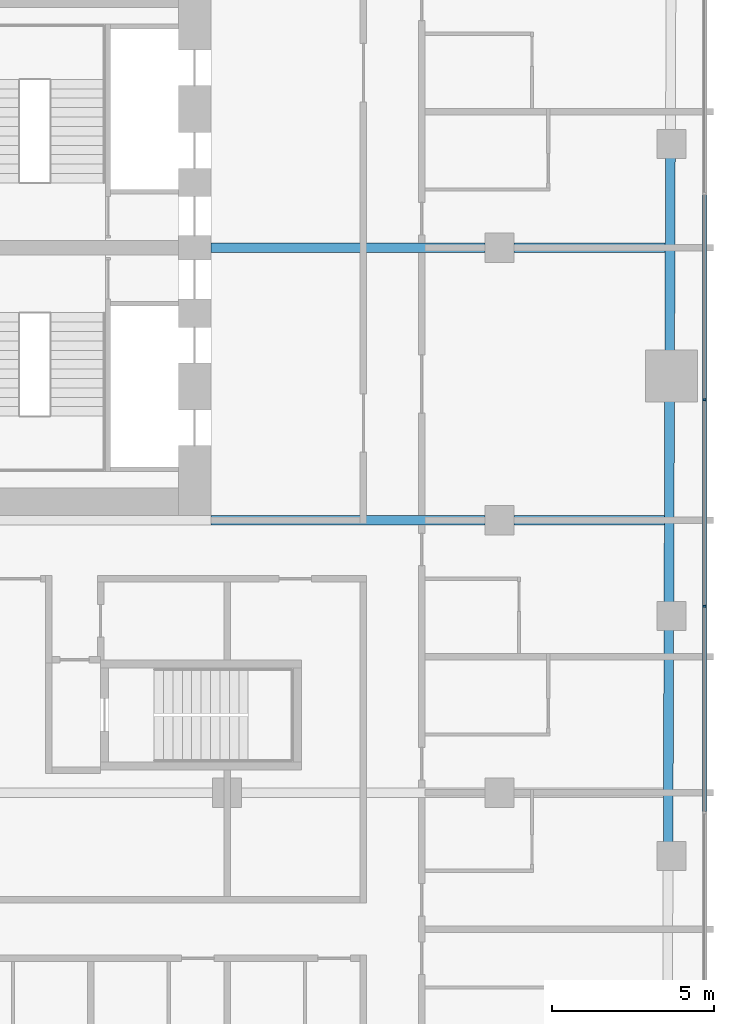
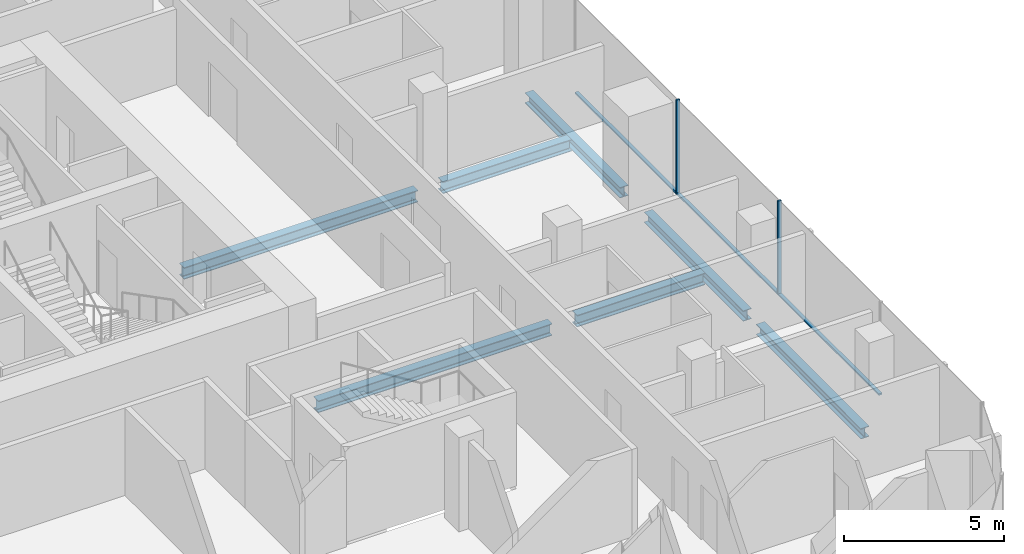
# One storey, part 7 of 23: 7 beams, 5 members, 1 element without a shape of its own.
"""IFC4 building model written with IfcOpenShell, lengths in metres."""

from ifc_helpers import new_model, si_unit, direction, frame, origin, origin_2d, place, context, subcontext, project, spatial, rectangle, i_section, extrude, material, layer, layer_set, material_profile, profile_set, type_object, element, aggregate, save


model = new_model("IFC4")

# Units and contexts
model_context = context("Model", 3, precision=1e-05, world=origin(), true_north=direction((0.0, 1.0)))
body_context = subcontext(model_context, "Body", "Model", "MODEL_VIEW")
ifc_project = project(units=[si_unit("LENGTHUNIT", "METRE"), si_unit("AREAUNIT", "SQUARE_METRE"), si_unit("VOLUMEUNIT", "CUBIC_METRE"), si_unit("PLANEANGLEUNIT", "RADIAN"), si_unit("MASSUNIT", "GRAM", prefix="KILO")], contexts=[model_context])

# Site, building, storey
site_placement = place(None, origin())
site = spatial("IfcSite", under=ifc_project, at=site_placement, CompositionType="ELEMENT")
building_placement = place(site_placement, origin())
building = spatial("IfcBuilding", under=site, at=building_placement, Name="Marenta Gate Hotel Tower", CompositionType="ELEMENT")
storey_placement = place(building_placement, frame((0.0, 0.0, 104.89990234375)))
storey = spatial("IfcBuildingStorey", under=building, at=storey_placement, Name="L22", CompositionType="ELEMENT", Elevation=104.89990234375)

# Beams
ifc_material_1 = material(Name="Steel S355", Category="steel")
ifc_material_profile_1 = material_profile(ifc_material_1, i_section(OverallWidth=0.300048828125, OverallDepth=0.39990234375, WebThickness=0.013427734375, FlangeThickness=0.02392578125, FilletRadius=0.027099609375, at=origin_2d()), Name="HEB 400")
ifc_profile_set_1 = profile_set([ifc_material_profile_1], Name="Steel S355")
beam_type_1 = type_object("IfcBeamType", Name="Edge beam HEB 400", PredefinedType="SPANDREL", material=ifc_profile_set_1)
beam_1_placement = place(storey_placement, frame((26.26416015625, 11.193115234375, -0.4599609375), z_axis=(-0.003305160059, -0.999994537944, 0.0), x_axis=(0.999994537944, -0.003305160059, 0.0)))
element("IfcBeam", 1, at=beam_1_placement, inside=storey, type_object=beam_type_1, Name="L22-EB-24", PredefinedType="SPANDREL", context=body_context, shape_type="SweptSolid", body=[
    extrude(i_section(OverallWidth=0.300048828125, OverallDepth=0.39990234375, WebThickness=0.013427734375, FlangeThickness=0.02392578125, FilletRadius=0.027099609375, at=origin_2d()), origin(), (0.0, 0.0, 1.0), 5.983154296875),
])
beam_2_placement = place(storey_placement, frame((26.2392578125, 3.68994140625, -0.4599609375), z_axis=(-0.003330441525, -0.999994454064, 0.0), x_axis=(0.999994454064, -0.003330441525, 0.0)))
element("IfcBeam", 2, at=beam_2_placement, inside=storey, type_object=beam_type_1, Name="L22-EB-25", PredefinedType="SPANDREL", context=body_context, shape_type="SweptSolid", body=[
    extrude(i_section(OverallWidth=0.300048828125, OverallDepth=0.39990234375, WebThickness=0.013427734375, FlangeThickness=0.02392578125, FilletRadius=0.027099609375, at=origin_2d()), origin(), (0.0, 0.0, 1.0), 6.23095703125),
])
beam_3_placement = place(storey_placement, frame((26.2158203125, -3.36083984375, -0.4599609375), z_axis=(-0.00333875569, -0.99999442634, 0.0), x_axis=(0.99999442634, -0.00333875569, 0.0)))
element("IfcBeam", 3, at=beam_3_placement, inside=storey, type_object=beam_type_1, Name="L22-EB-26", PredefinedType="SPANDREL", context=body_context, shape_type="SweptSolid", body=[
    extrude(i_section(OverallWidth=0.300048828125, OverallDepth=0.39990234375, WebThickness=0.013427734375, FlangeThickness=0.02392578125, FilletRadius=0.027099609375, at=origin_2d()), origin(), (0.0, 0.0, 1.0), 6.5810546875),
])
ifc_material_2 = material(Name="Steel S355", Category="steel")
ifc_material_profile_2 = material_profile(ifc_material_2, i_section(OverallWidth=0.300048828125, OverallDepth=0.449951171875, WebThickness=0.013916015625, FlangeThickness=0.02587890625, FilletRadius=0.027099609375, at=origin_2d()), Name="HEB 450")
ifc_profile_set_2 = profile_set([ifc_material_profile_2], Name="Steel S355")
beam_type_2 = type_object("IfcBeamType", Name="Girder HEB 450", PredefinedType="BEAM", material=ifc_profile_set_2)
beam_4_placement = place(storey_placement, frame((12.10009765625, 0.0, -0.48486328125), z_axis=(1.0, 0.0, 0.0), x_axis=(0.0, 1.0, 0.0)))
element("IfcBeam", 4, at=beam_4_placement, inside=storey, type_object=beam_type_2, Name="L22-GD-18", PredefinedType="BEAM", context=body_context, shape_type="SweptSolid", body=[
    extrude(i_section(OverallWidth=0.300048828125, OverallDepth=0.449951171875, WebThickness=0.013916015625, FlangeThickness=0.02587890625, FilletRadius=0.027099609375, at=origin_2d()), origin(), (0.0, 0.0, 1.0), 8.449951171875),
])
beam_5_placement = place(storey_placement, frame((21.449951171875, 0.0, -0.48486328125), z_axis=(1.0, 0.0, 0.0), x_axis=(0.0, 1.0, 0.0)))
element("IfcBeam", 5, at=beam_5_placement, inside=storey, type_object=beam_type_2, Name="L22-GD-19", PredefinedType="BEAM", context=body_context, shape_type="SweptSolid", body=[
    extrude(i_section(OverallWidth=0.300048828125, OverallDepth=0.449951171875, WebThickness=0.013916015625, FlangeThickness=0.02587890625, FilletRadius=0.027099609375, at=origin_2d()), origin(), (0.0, 0.0, 1.0), 4.626953125),
])
beam_6_placement = place(storey_placement, frame((12.10009765625, 8.39990234375, -0.48486328125), z_axis=(1.0, 0.0, 0.0), x_axis=(0.0, 1.0, 0.0)))
element("IfcBeam", 6, at=beam_6_placement, inside=storey, type_object=beam_type_2, Name="L22-GD-22", PredefinedType="BEAM", context=body_context, shape_type="SweptSolid", body=[
    extrude(i_section(OverallWidth=0.300048828125, OverallDepth=0.449951171875, WebThickness=0.013916015625, FlangeThickness=0.02587890625, FilletRadius=0.027099609375, at=origin_2d()), origin(), (0.0, 0.0, 1.0), 8.449951171875),
])
beam_7_placement = place(storey_placement, frame((21.449951171875, 8.39990234375, -0.48486328125), z_axis=(1.0, 0.0, 0.0), x_axis=(0.0, 1.0, 0.0)))
element("IfcBeam", 7, at=beam_7_placement, inside=storey, type_object=beam_type_2, Name="L22-GD-23", PredefinedType="BEAM", context=body_context, shape_type="SweptSolid", body=[
    extrude(i_section(OverallWidth=0.300048828125, OverallDepth=0.449951171875, WebThickness=0.013916015625, FlangeThickness=0.02587890625, FilletRadius=0.027099609375, at=origin_2d()), origin(), (0.0, 0.0, 1.0), 4.655029296875),
])

# Curtain wall, members
ifc_material_3 = material(Name="Tinted insulated glass in bronze anodised frame", Category="glass")
ifc_layer = layer(ifc_material_3, 0.1201171875)
ifc_layer_set = layer_set([ifc_layer], Name="Tinted insulated glass in bronze anodised frame")
curtain_wall_type = type_object("IfcCurtainWallType", Name="Tower unitised curtain wall CW1", PredefinedType="NOTDEFINED", material=ifc_layer_set)
curtain_wall_placement = place(storey_placement, origin())
curtain_wall = element("IfcCurtainWall", 8, at=curtain_wall_placement, inside=storey, type_object=curtain_wall_type, Name="CW1 run G11", PredefinedType="NOTDEFINED")
ifc_material_4 = material(Name="Bronze anodised aluminium", Category="aluminium")
ifc_material_profile_3 = material_profile(ifc_material_4, rectangle(XDim=0.1201171875, YDim=0.06005859375, at=origin_2d()), Name="Mullion CW1 60x120 bronze anodised aluminium")
ifc_profile_set_3 = profile_set([ifc_material_profile_3], Name="Bronze anodised aluminium")
member_type_1 = type_object("IfcMemberType", Name="Mullion CW1 60x120 bronze anodised aluminium", PredefinedType="MULLION", material=ifc_profile_set_3)
member_1_placement = place(storey_placement, frame((27.31396484375, -2.64794921875, 0.0), z_axis=(0.0, 0.0, 1.0), x_axis=(-1.0, 0.0, 0.0)))
member_1 = element("IfcMember", 9, at=member_1_placement, type_object=member_type_1, Name="CW1 mullion 3", PredefinedType="MULLION", context=body_context, shape_type="SweptSolid", body=[
    extrude(rectangle(XDim=0.1201171875, YDim=0.06005859375, at=origin_2d()), origin(), (0.0, 0.0, 1.0), 3.60009765625),
])
member_2_placement = place(storey_placement, frame((27.31396484375, 3.7119140625, 0.0), z_axis=(0.0, 0.0, 1.0), x_axis=(-1.0, 0.0, 0.0)))
member_2 = element("IfcMember", 10, at=member_2_placement, type_object=member_type_1, Name="CW1 mullion 4", PredefinedType="MULLION", context=body_context, shape_type="SweptSolid", body=[
    extrude(rectangle(XDim=0.1201171875, YDim=0.06005859375, at=origin_2d()), origin(), (0.0, 0.0, 1.0), 3.60009765625),
])
ifc_material_5 = material(Name="Bronze anodised aluminium", Category="aluminium")
ifc_material_profile_4 = material_profile(ifc_material_5, rectangle(XDim=0.1201171875, YDim=0.06005859375, at=origin_2d()), Name="Transom CW1 60x120 bronze anodised aluminium")
ifc_profile_set_4 = profile_set([ifc_material_profile_4], Name="Bronze anodised aluminium")
member_type_2 = type_object("IfcMemberType", Name="Transom CW1 60x120 bronze anodised aluminium", PredefinedType="USERDEFINED", material=ifc_profile_set_4)
member_3_placement = place(storey_placement, frame((27.31396484375, -8.97802734375, 0.030029296875), z_axis=(0.0, 1.0, 0.0), x_axis=(-1.0, 0.0, 0.0)))
member_3 = element("IfcMember", 11, at=member_3_placement, type_object=member_type_2, Name="CW1 transom 2.1", ObjectType="TRANSOM", PredefinedType="USERDEFINED", context=body_context, shape_type="SweptSolid", body=[
    extrude(rectangle(XDim=0.1201171875, YDim=0.06005859375, at=origin_2d()), origin(), (0.0, 0.0, 1.0), 6.300048828125),
])
member_4_placement = place(storey_placement, frame((27.31396484375, -2.617919921875, 0.030029296875), z_axis=(0.0, 1.0, 0.0), x_axis=(-1.0, 0.0, 0.0)))
member_4 = element("IfcMember", 12, at=member_4_placement, type_object=member_type_2, Name="CW1 transom 3.1", ObjectType="TRANSOM", PredefinedType="USERDEFINED", context=body_context, shape_type="SweptSolid", body=[
    extrude(rectangle(XDim=0.1201171875, YDim=0.06005859375, at=origin_2d()), origin(), (0.0, 0.0, 1.0), 6.2998046875),
])
member_5_placement = place(storey_placement, frame((27.31396484375, 3.741943359375, 0.030029296875), z_axis=(0.0, 1.0, 0.0), x_axis=(-1.0, 0.0, 0.0)))
member_5 = element("IfcMember", 13, at=member_5_placement, type_object=member_type_2, Name="CW1 transom 4.1", ObjectType="TRANSOM", PredefinedType="USERDEFINED", context=body_context, shape_type="SweptSolid", body=[
    extrude(rectangle(XDim=0.1201171875, YDim=0.06005859375, at=origin_2d()), origin(), (0.0, 0.0, 1.0), 6.300048828125),
])
aggregate(curtain_wall, [member_1, member_2, member_3, member_4, member_5])

save(model, "model.ifc")
